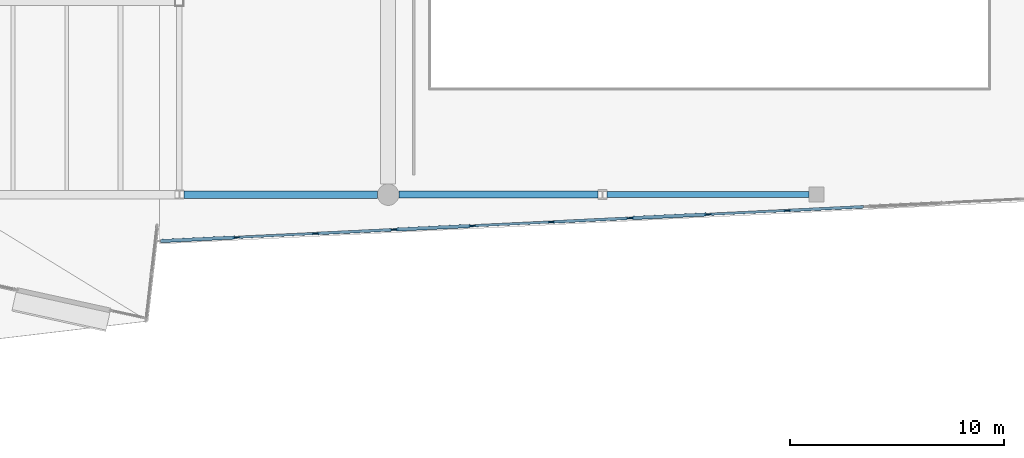
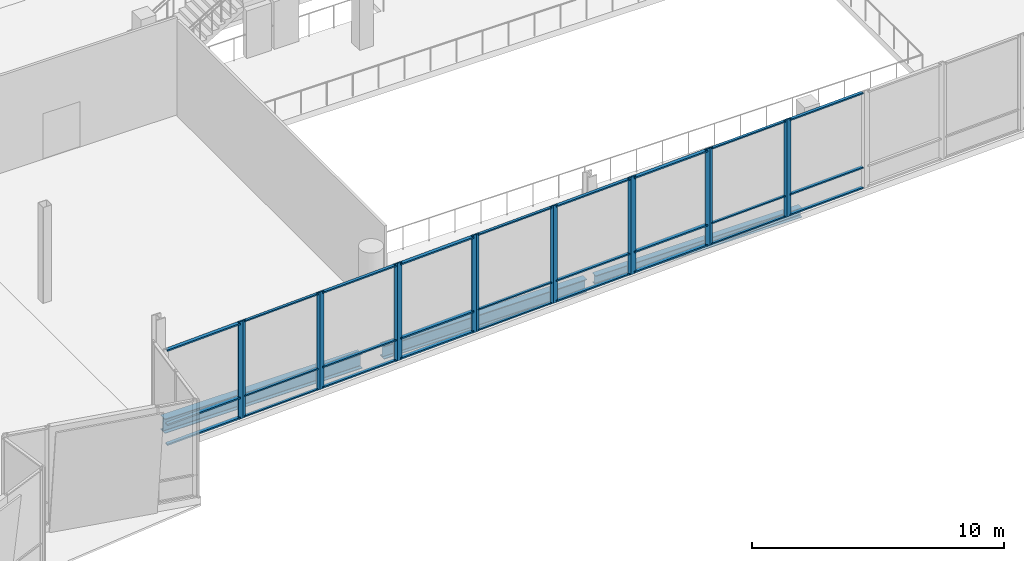
# One storey, part 22 of 73: 43 members, 3 beams, 9 elements without a shape of their own.
"""IFC4 building model written with IfcOpenShell, lengths in metres."""

from ifc_helpers import new_model, si_unit, direction, frame, origin, origin_2d, place, context, subcontext, project, spatial, rectangle, i_section, extrude, material, material_profile, profile_set, type_object, element, aggregate, save


model = new_model("IFC4")

# Units and contexts
model_context = context("Model", 3, precision=1e-05, world=origin(), true_north=direction((0.0, 1.0)))
body_context = subcontext(model_context, "Body", "Model", "MODEL_VIEW")
ifc_project = project(units=[si_unit("LENGTHUNIT", "METRE"), si_unit("AREAUNIT", "SQUARE_METRE"), si_unit("VOLUMEUNIT", "CUBIC_METRE"), si_unit("PLANEANGLEUNIT", "RADIAN"), si_unit("MASSUNIT", "GRAM", prefix="KILO")], contexts=[model_context])

# Site, building, storey
site_placement = place(None, origin())
site = spatial("IfcSite", under=ifc_project, at=site_placement, CompositionType="ELEMENT")
building_placement = place(site_placement, origin())
building = spatial("IfcBuilding", under=site, at=building_placement, Name="Trimount Lyric Opera House", CompositionType="ELEMENT")
storey_placement = place(building_placement, frame((0.0, 0.0, 10.0)))
storey = spatial("IfcBuildingStorey", under=building, at=storey_placement, Name="L02", CompositionType="ELEMENT", Elevation=10.0)

# Beams
ifc_material_1 = material(Name="Steel ASTM A992 Grade 50", Category="steel")
ifc_material_profile_1 = material_profile(ifc_material_1, i_section(OverallWidth=0.35595703125, OverallDepth=0.700927734375, WebThickness=0.016845703125, FlangeThickness=0.02734375, FilletRadius=0.01806640625, at=origin_2d()), Name="W27X161")
ifc_profile_set_1 = profile_set([ifc_material_profile_1], Name="Steel ASTM A992 Grade 50")
beam_type_1 = type_object("IfcBeamType", Name="B-08", PredefinedType="BEAM", material=ifc_profile_set_1)
beam_1_placement = place(storey_placement, frame((64.462890625, 26.0, -0.650390625), z_axis=(1.0, 0.0, 0.0), x_axis=(0.0, 1.0, 0.0)))
element("IfcBeam", 1, at=beam_1_placement, inside=storey, type_object=beam_type_1, Name="L02 girder X-0716", PredefinedType="BEAM", context=body_context, shape_type="SweptSolid", body=[
    extrude(i_section(OverallWidth=0.35595703125, OverallDepth=0.700927734375, WebThickness=0.016845703125, FlangeThickness=0.02734375, FilletRadius=0.01806640625, at=origin_2d()), origin(), (0.0, 0.0, 1.0), 9.037109375),
])
ifc_material_2 = material(Name="Steel ASTM A992 Grade 50", Category="steel")
ifc_material_profile_2 = material_profile(ifc_material_2, i_section(OverallWidth=0.327880859375, OverallDepth=0.626953125, WebThickness=0.0166015625, FlangeThickness=0.027587890625, FilletRadius=0.01611328125, at=origin_2d()), Name="W24X146")
ifc_profile_set_2 = profile_set([ifc_material_profile_2], Name="Steel ASTM A992 Grade 50")
beam_type_2 = type_object("IfcBeamType", Name="B-10", PredefinedType="BEAM", material=ifc_profile_set_2)
beam_2_placement = place(storey_placement, frame((74.5, 26.0, -0.613525390625), z_axis=(1.0, 0.0, 0.0), x_axis=(0.0, 1.0, 0.0)))
element("IfcBeam", 2, at=beam_2_placement, inside=storey, type_object=beam_type_2, Name="L02 girder X-0717", PredefinedType="BEAM", context=body_context, shape_type="SweptSolid", body=[
    extrude(i_section(OverallWidth=0.327880859375, OverallDepth=0.626953125, WebThickness=0.0166015625, FlangeThickness=0.027587890625, FilletRadius=0.01611328125, at=origin_2d()), origin(), (0.0, 0.0, 1.0), 9.2890625),
])

# Curtain wall, members
ifc_material_3 = material(Name="Thermally Broken Aluminium and Low-E Glass", Category="aluminium")
curtain_wall_type = type_object("IfcCurtainWallType", Name="CW-01", PredefinedType="NOTDEFINED", material=ifc_material_3)
curtain_wall_1_placement = place(storey_placement, origin())
curtain_wall_1 = element("IfcCurtainWall", 3, at=curtain_wall_1_placement, inside=storey, type_object=curtain_wall_type, Name="L02 curtain wall 180", PredefinedType="NOTDEFINED")
ifc_material_4 = material(Name="Anodised Aluminium 6063-T6", Category="aluminium")
ifc_material_profile_3 = material_profile(ifc_material_4, rectangle(XDim=0.070068359375, YDim=0.219970703125, at=origin_2d()), Name="ALU-MULL-70X220")
ifc_profile_set_3 = profile_set([ifc_material_profile_3], Name="Anodised Aluminium 6063-T6")
member_type_1 = type_object("IfcMemberType", Name="ML-01", PredefinedType="MULLION", material=ifc_profile_set_3)
member_1_placement = place(storey_placement, frame((88.867919921875, 25.080322265625, 0.0), z_axis=(0.0, 0.0, 1.0), x_axis=(0.048573117817, -0.998819629475, 0.0)))
member_1 = element("IfcMember", 4, at=member_1_placement, type_object=member_type_1, Name="CW-01 mullion 1", PredefinedType="MULLION", context=body_context, shape_type="SweptSolid", body=[
    extrude(rectangle(XDim=0.070068359375, YDim=0.219970703125, at=origin_2d()), origin(), (0.0, 0.0, 1.0), 4.719970703125),
])
member_2_placement = place(storey_placement, frame((85.35986328125, 24.90966796875, 0.0), z_axis=(0.0, 0.0, 1.0), x_axis=(0.048573117817, -0.998819629475, 0.0)))
member_2 = element("IfcMember", 5, at=member_2_placement, type_object=member_type_1, Name="CW-01 mullion 2", PredefinedType="MULLION", context=body_context, shape_type="SweptSolid", body=[
    extrude(rectangle(XDim=0.070068359375, YDim=0.219970703125, at=origin_2d()), origin(), (0.0, 0.0, 1.0), 4.719970703125),
])

curtain_wall_2_placement = place(storey_placement, origin())
curtain_wall_2 = element("IfcCurtainWall", 6, at=curtain_wall_2_placement, inside=storey, type_object=curtain_wall_type, Name="L02 curtain wall 183", PredefinedType="NOTDEFINED")
member_3_placement = place(storey_placement, frame((77.862060546875, 24.543212890625, 0.0), z_axis=(0.0, 0.0, 1.0), x_axis=(0.048573117817, -0.998819629475, 0.0)))
member_3 = element("IfcMember", 7, at=member_3_placement, type_object=member_type_1, Name="CW-01 mullion 1", PredefinedType="MULLION", context=body_context, shape_type="SweptSolid", body=[
    extrude(rectangle(XDim=0.070068359375, YDim=0.219970703125, at=origin_2d()), origin(), (0.0, 0.0, 1.0), 4.719970703125),
])
member_4_placement = place(storey_placement, frame((74.35400390625, 24.372802734375, 0.0), z_axis=(0.0, 0.0, 1.0), x_axis=(0.048573117817, -0.998819629475, 0.0)))
member_4 = element("IfcMember", 8, at=member_4_placement, type_object=member_type_1, Name="CW-01 mullion 2", PredefinedType="MULLION", context=body_context, shape_type="SweptSolid", body=[
    extrude(rectangle(XDim=0.070068359375, YDim=0.219970703125, at=origin_2d()), origin(), (0.0, 0.0, 1.0), 4.719970703125),
])

# Curtain wall, member
curtain_wall_3_placement = place(storey_placement, origin())
curtain_wall_3 = element("IfcCurtainWall", 9, at=curtain_wall_3_placement, inside=storey, type_object=curtain_wall_type, Name="L02 curtain wall 186", PredefinedType="NOTDEFINED")
member_5_placement = place(storey_placement, frame((66.85693359375, 24.00634765625, 0.0), z_axis=(0.0, 0.0, 1.0), x_axis=(0.04855957812, -0.998820287826, 0.0)))
member_5 = element("IfcMember", 10, at=member_5_placement, type_object=member_type_1, Name="CW-01 mullion 1", PredefinedType="MULLION", context=body_context, shape_type="SweptSolid", body=[
    extrude(rectangle(XDim=0.070068359375, YDim=0.219970703125, at=origin_2d()), origin(), (0.0, 0.0, 1.0), 4.719970703125),
])

curtain_wall_4_placement = place(storey_placement, origin())
curtain_wall_4 = element("IfcCurtainWall", 11, at=curtain_wall_4_placement, inside=storey, type_object=curtain_wall_type, Name="L02 curtain wall 178", PredefinedType="NOTDEFINED")
ifc_material_5 = material(Name="Anodised Aluminium 6063-T6", Category="aluminium")
ifc_material_profile_4 = material_profile(ifc_material_5, rectangle(XDim=0.06494140625, YDim=0.179931640625, at=origin_2d()), Name="ALU-MULL-65X180")
ifc_profile_set_4 = profile_set([ifc_material_profile_4], Name="Anodised Aluminium 6063-T6")
member_type_2 = type_object("IfcMemberType", Name="ML-02", PredefinedType="MULLION", material=ifc_profile_set_4)
member_6_placement = place(storey_placement, frame((92.694580078125, 25.267578125, 0.0), z_axis=(0.0, 0.0, 1.0), x_axis=(0.048573117817, -0.998819629475, 0.0)))
member_6 = element("IfcMember", 12, at=member_6_placement, type_object=member_type_2, Name="CW-01 mullion 2", PredefinedType="MULLION", context=body_context, shape_type="SweptSolid", body=[
    extrude(rectangle(XDim=0.06494140625, YDim=0.179931640625, at=origin_2d()), origin(), (0.0, 0.0, 1.0), 4.719970703125),
])

# Curtain wall, members
curtain_wall_5_placement = place(storey_placement, origin())
curtain_wall_5 = element("IfcCurtainWall", 13, at=curtain_wall_5_placement, inside=storey, type_object=curtain_wall_type, Name="L02 curtain wall 181", PredefinedType="NOTDEFINED")
member_7_placement = place(storey_placement, frame((85.20263671875, 24.9013671875, 0.0), z_axis=(0.0, 0.0, 1.0), x_axis=(0.04855957812, -0.998820287826, 0.0)))
member_7 = element("IfcMember", 14, at=member_7_placement, type_object=member_type_2, Name="CW-01 mullion 1", PredefinedType="MULLION", context=body_context, shape_type="SweptSolid", body=[
    extrude(rectangle(XDim=0.06494140625, YDim=0.179931640625, at=origin_2d()), origin(), (0.0, 0.0, 1.0), 4.719970703125),
])
member_8_placement = place(storey_placement, frame((81.6884765625, 24.73046875, 0.0), z_axis=(0.0, 0.0, 1.0), x_axis=(0.04855957812, -0.998820287826, 0.0)))
member_8 = element("IfcMember", 15, at=member_8_placement, type_object=member_type_2, Name="CW-01 mullion 2", PredefinedType="MULLION", context=body_context, shape_type="SweptSolid", body=[
    extrude(rectangle(XDim=0.06494140625, YDim=0.179931640625, at=origin_2d()), origin(), (0.0, 0.0, 1.0), 4.719970703125),
])

curtain_wall_6_placement = place(storey_placement, origin())
curtain_wall_6 = element("IfcCurtainWall", 16, at=curtain_wall_6_placement, inside=storey, type_object=curtain_wall_type, Name="L02 curtain wall 184", PredefinedType="NOTDEFINED")
member_9_placement = place(storey_placement, frame((74.196533203125, 24.364501953125, 0.0), z_axis=(0.0, 0.0, 1.0), x_axis=(0.04855957812, -0.998820287826, 0.0)))
member_9 = element("IfcMember", 17, at=member_9_placement, type_object=member_type_2, Name="CW-01 mullion 1", PredefinedType="MULLION", context=body_context, shape_type="SweptSolid", body=[
    extrude(rectangle(XDim=0.06494140625, YDim=0.179931640625, at=origin_2d()), origin(), (0.0, 0.0, 1.0), 4.719970703125),
])
member_10_placement = place(storey_placement, frame((70.682373046875, 24.193603515625, 0.0), z_axis=(0.0, 0.0, 1.0), x_axis=(0.04855957812, -0.998820287826, 0.0)))
member_10 = element("IfcMember", 18, at=member_10_placement, type_object=member_type_2, Name="CW-01 mullion 2", PredefinedType="MULLION", context=body_context, shape_type="SweptSolid", body=[
    extrude(rectangle(XDim=0.06494140625, YDim=0.179931640625, at=origin_2d()), origin(), (0.0, 0.0, 1.0), 4.719970703125),
])

curtain_wall_7_placement = place(storey_placement, origin())
curtain_wall_7 = element("IfcCurtainWall", 19, at=curtain_wall_7_placement, inside=storey, type_object=curtain_wall_type, Name="L02 curtain wall 179", PredefinedType="NOTDEFINED")
ifc_material_6 = material(Name="Anodised Aluminium 6063-T6", Category="aluminium")
ifc_material_profile_5 = material_profile(ifc_material_6, rectangle(XDim=0.06005859375, YDim=0.14990234375, at=origin_2d()), Name="ALU-MULL-60X150")
ifc_profile_set_5 = profile_set([ifc_material_profile_5], Name="Anodised Aluminium 6063-T6")
member_type_3 = type_object("IfcMemberType", Name="ML-03", PredefinedType="MULLION", material=ifc_profile_set_5)
member_11_placement = place(storey_placement, frame((92.5419921875, 25.259521484375, 0.0), z_axis=(0.0, 0.0, 1.0), x_axis=(0.04855957812, -0.998820287826, 0.0)))
member_11 = element("IfcMember", 20, at=member_11_placement, type_object=member_type_3, Name="CW-01 mullion 1", PredefinedType="MULLION", context=body_context, shape_type="SweptSolid", body=[
    extrude(rectangle(XDim=0.06005859375, YDim=0.14990234375, at=origin_2d()), origin(), (0.0, 0.0, 1.0), 4.719970703125),
])
member_12_placement = place(storey_placement, frame((89.02294921875, 25.08837890625, 0.0), z_axis=(0.0, 0.0, 1.0), x_axis=(0.04855957812, -0.998820287826, 0.0)))
member_12 = element("IfcMember", 21, at=member_12_placement, type_object=member_type_3, Name="CW-01 mullion 2", PredefinedType="MULLION", context=body_context, shape_type="SweptSolid", body=[
    extrude(rectangle(XDim=0.06005859375, YDim=0.14990234375, at=origin_2d()), origin(), (0.0, 0.0, 1.0), 4.719970703125),
])

curtain_wall_8_placement = place(storey_placement, origin())
curtain_wall_8 = element("IfcCurtainWall", 22, at=curtain_wall_8_placement, inside=storey, type_object=curtain_wall_type, Name="L02 curtain wall 182", PredefinedType="NOTDEFINED")
member_13_placement = place(storey_placement, frame((81.5361328125, 24.72265625, 0.0), z_axis=(0.0, 0.0, 1.0), x_axis=(0.04855957812, -0.998820287826, 0.0)))
member_13 = element("IfcMember", 23, at=member_13_placement, type_object=member_type_3, Name="CW-01 mullion 1", PredefinedType="MULLION", context=body_context, shape_type="SweptSolid", body=[
    extrude(rectangle(XDim=0.06005859375, YDim=0.14990234375, at=origin_2d()), origin(), (0.0, 0.0, 1.0), 4.719970703125),
])
member_14_placement = place(storey_placement, frame((78.016845703125, 24.551513671875, 0.0), z_axis=(0.0, 0.0, 1.0), x_axis=(0.04855957812, -0.998820287826, 0.0)))
member_14 = element("IfcMember", 24, at=member_14_placement, type_object=member_type_3, Name="CW-01 mullion 2", PredefinedType="MULLION", context=body_context, shape_type="SweptSolid", body=[
    extrude(rectangle(XDim=0.06005859375, YDim=0.14990234375, at=origin_2d()), origin(), (0.0, 0.0, 1.0), 4.719970703125),
])

curtain_wall_9_placement = place(storey_placement, origin())
curtain_wall_9 = element("IfcCurtainWall", 25, at=curtain_wall_9_placement, inside=storey, type_object=curtain_wall_type, Name="L02 curtain wall 185", PredefinedType="NOTDEFINED")
member_15_placement = place(storey_placement, frame((70.530029296875, 24.185546875, 0.0), z_axis=(0.0, 0.0, 1.0), x_axis=(0.048573117817, -0.998819629475, 0.0)))
member_15 = element("IfcMember", 26, at=member_15_placement, type_object=member_type_3, Name="CW-01 mullion 1", PredefinedType="MULLION", context=body_context, shape_type="SweptSolid", body=[
    extrude(rectangle(XDim=0.06005859375, YDim=0.14990234375, at=origin_2d()), origin(), (0.0, 0.0, 1.0), 4.719970703125),
])
member_16_placement = place(storey_placement, frame((67.011962890625, 24.014404296875, 0.0), z_axis=(0.0, 0.0, 1.0), x_axis=(0.048573117817, -0.998819629475, 0.0)))
member_16 = element("IfcMember", 27, at=member_16_placement, type_object=member_type_3, Name="CW-01 mullion 2", PredefinedType="MULLION", context=body_context, shape_type="SweptSolid", body=[
    extrude(rectangle(XDim=0.06005859375, YDim=0.14990234375, at=origin_2d()), origin(), (0.0, 0.0, 1.0), 4.719970703125),
])

# Beam
ifc_material_7 = material(Name="Steel ASTM A992 Grade 50", Category="steel")
ifc_material_profile_6 = material_profile(ifc_material_7, i_section(OverallWidth=0.281982421875, OverallDepth=0.467041015625, WebThickness=0.01220703125, FlangeThickness=0.01953125, FilletRadius=0.012939453125, at=origin_2d()), Name="W18X86")
ifc_profile_set_6 = profile_set([ifc_material_profile_6], Name="Steel ASTM A992 Grade 50")
beam_type_3 = type_object("IfcBeamType", Name="SP-01", PredefinedType="SPANDREL", material=ifc_profile_set_6)
beam_3_placement = place(storey_placement, frame((84.2109375, 26.0, -0.533447265625), z_axis=(1.0, 0.0, 0.0), x_axis=(0.0, 1.0, 0.0)))
element("IfcBeam", 28, at=beam_3_placement, inside=storey, type_object=beam_type_3, Name="L02 girder X-0718", PredefinedType="SPANDREL", context=body_context, shape_type="SweptSolid", body=[
    extrude(i_section(OverallWidth=0.281982421875, OverallDepth=0.467041015625, WebThickness=0.01220703125, FlangeThickness=0.01953125, FilletRadius=0.012939453125, at=origin_2d()), origin(), (0.0, 0.0, 1.0), 9.43896484375),
])

# Member
ifc_material_8 = material(Name="Anodised Aluminium 6063-T6", Category="aluminium")
ifc_material_profile_7 = material_profile(ifc_material_8, rectangle(XDim=0.159912109375, YDim=0.070068359375, at=origin_2d()), Name="ALU-TRAN-70X160")
ifc_profile_set_7 = profile_set([ifc_material_profile_7], Name="Anodised Aluminium 6063-T6")
member_type_4 = type_object("IfcMemberType", Name="TR-01", PredefinedType="USERDEFINED", material=ifc_profile_set_7)
member_17_placement = place(storey_placement, frame((88.8330078125, 25.07861328125, 0.080078125), z_axis=(-0.998818992707, -0.048586210056, 0.0), x_axis=(0.048586210056, -0.998818992707, 0.0)))
member_17 = element("IfcMember", 29, at=member_17_placement, type_object=member_type_4, Name="CW-01 transom 1.1", ObjectType="TRANSOM", PredefinedType="USERDEFINED", context=body_context, shape_type="SweptSolid", body=[
    extrude(rectangle(XDim=0.159912109375, YDim=0.070068359375, at=origin_2d()), origin(), (0.0, 0.0, 1.0), 3.442138671875),
])

member_18_placement = place(storey_placement, frame((88.8330078125, 25.07861328125, 1.050048828125), z_axis=(-0.998818992707, -0.048586210056, 0.0), x_axis=(0.048586210056, -0.998818992707, 0.0)))
member_18 = element("IfcMember", 30, at=member_18_placement, type_object=member_type_4, Name="CW-01 transom 1.2", ObjectType="TRANSOM", PredefinedType="USERDEFINED", context=body_context, shape_type="SweptSolid", body=[
    extrude(rectangle(XDim=0.159912109375, YDim=0.070068359375, at=origin_2d()), origin(), (0.0, 0.0, 1.0), 3.442138671875),
])

member_19_placement = place(storey_placement, frame((88.8330078125, 25.07861328125, 4.639892578125), z_axis=(-0.998818992707, -0.048586210056, 0.0), x_axis=(0.048586210056, -0.998818992707, 0.0)))
member_19 = element("IfcMember", 31, at=member_19_placement, type_object=member_type_4, Name="CW-01 transom 1.3", ObjectType="TRANSOM", PredefinedType="USERDEFINED", context=body_context, shape_type="SweptSolid", body=[
    extrude(rectangle(XDim=0.159912109375, YDim=0.070068359375, at=origin_2d()), origin(), (0.0, 0.0, 1.0), 3.442138671875),
])

aggregate(curtain_wall_1, [member_1, member_2, member_17, member_18, member_19])

member_20_placement = place(storey_placement, frame((77.8271484375, 24.54150390625, 0.080078125), z_axis=(-0.998822599234, -0.048512011494, 0.0), x_axis=(0.048512011494, -0.998822599234, 0.0)))
member_20 = element("IfcMember", 32, at=member_20_placement, type_object=member_type_4, Name="CW-01 transom 1.1", ObjectType="TRANSOM", PredefinedType="USERDEFINED", context=body_context, shape_type="SweptSolid", body=[
    extrude(rectangle(XDim=0.159912109375, YDim=0.070068359375, at=origin_2d()), origin(), (0.0, 0.0, 1.0), 3.4423828125),
])

member_21_placement = place(storey_placement, frame((77.8271484375, 24.54150390625, 1.050048828125), z_axis=(-0.998822599234, -0.048512011494, 0.0), x_axis=(0.048512011494, -0.998822599234, 0.0)))
member_21 = element("IfcMember", 33, at=member_21_placement, type_object=member_type_4, Name="CW-01 transom 1.2", ObjectType="TRANSOM", PredefinedType="USERDEFINED", context=body_context, shape_type="SweptSolid", body=[
    extrude(rectangle(XDim=0.159912109375, YDim=0.070068359375, at=origin_2d()), origin(), (0.0, 0.0, 1.0), 3.4423828125),
])

member_22_placement = place(storey_placement, frame((77.8271484375, 24.54150390625, 4.639892578125), z_axis=(-0.998822599234, -0.048512011494, 0.0), x_axis=(0.048512011494, -0.998822599234, 0.0)))
member_22 = element("IfcMember", 34, at=member_22_placement, type_object=member_type_4, Name="CW-01 transom 1.3", ObjectType="TRANSOM", PredefinedType="USERDEFINED", context=body_context, shape_type="SweptSolid", body=[
    extrude(rectangle(XDim=0.159912109375, YDim=0.070068359375, at=origin_2d()), origin(), (0.0, 0.0, 1.0), 3.4423828125),
])

aggregate(curtain_wall_2, [member_3, member_4, member_20, member_21, member_22])

member_23_placement = place(storey_placement, frame((66.822021484375, 24.004638671875, 0.080078125), z_axis=(-0.998819829442, -0.048569005691, 0.0), x_axis=(0.048569005691, -0.998819829442, 0.0)))
member_23 = element("IfcMember", 35, at=member_23_placement, type_object=member_type_4, Name="CW-01 transom 1.1", ObjectType="TRANSOM", PredefinedType="USERDEFINED", context=body_context, shape_type="SweptSolid", body=[
    extrude(rectangle(XDim=0.159912109375, YDim=0.070068359375, at=origin_2d()), origin(), (0.0, 0.0, 1.0), 3.443359375),
])

member_24_placement = place(storey_placement, frame((66.822021484375, 24.004638671875, 1.050048828125), z_axis=(-0.998819829442, -0.048569005691, 0.0), x_axis=(0.048569005691, -0.998819829442, 0.0)))
member_24 = element("IfcMember", 36, at=member_24_placement, type_object=member_type_4, Name="CW-01 transom 1.2", ObjectType="TRANSOM", PredefinedType="USERDEFINED", context=body_context, shape_type="SweptSolid", body=[
    extrude(rectangle(XDim=0.159912109375, YDim=0.070068359375, at=origin_2d()), origin(), (0.0, 0.0, 1.0), 3.443359375),
])

member_25_placement = place(storey_placement, frame((66.822021484375, 24.004638671875, 4.639892578125), z_axis=(-0.998819829442, -0.048569005691, 0.0), x_axis=(0.048569005691, -0.998819829442, 0.0)))
member_25 = element("IfcMember", 37, at=member_25_placement, type_object=member_type_4, Name="CW-01 transom 1.3", ObjectType="TRANSOM", PredefinedType="USERDEFINED", context=body_context, shape_type="SweptSolid", body=[
    extrude(rectangle(XDim=0.159912109375, YDim=0.070068359375, at=origin_2d()), origin(), (0.0, 0.0, 1.0), 3.443359375),
])

aggregate(curtain_wall_3, [member_5, member_23, member_24, member_25])

ifc_material_9 = material(Name="Anodised Aluminium 6063-T6", Category="aluminium")
ifc_material_profile_8 = material_profile(ifc_material_9, rectangle(XDim=0.135009765625, YDim=0.06494140625, at=origin_2d()), Name="ALU-TRAN-65X135")
ifc_profile_set_8 = profile_set([ifc_material_profile_8], Name="Anodised Aluminium 6063-T6")
member_type_5 = type_object("IfcMemberType", Name="TR-02", PredefinedType="USERDEFINED", material=ifc_profile_set_8)
member_26_placement = place(storey_placement, frame((96.175048828125, 25.436767578125, 0.0673828125), z_axis=(-0.998819140388, -0.048583173991, 0.0), x_axis=(0.048583173991, -0.998819140388, 0.0)))
member_26 = element("IfcMember", 38, at=member_26_placement, type_object=member_type_5, Name="CW-01 transom 1.1", ObjectType="TRANSOM", PredefinedType="USERDEFINED", context=body_context, shape_type="SweptSolid", body=[
    extrude(rectangle(XDim=0.135009765625, YDim=0.06494140625, at=origin_2d()), origin(), (0.0, 0.0, 1.0), 3.452392578125),
])

member_27_placement = place(storey_placement, frame((96.175048828125, 25.436767578125, 1.050048828125), z_axis=(-0.998819140388, -0.048583173991, 0.0), x_axis=(0.048583173991, -0.998819140388, 0.0)))
member_27 = element("IfcMember", 39, at=member_27_placement, type_object=member_type_5, Name="CW-01 transom 1.2", ObjectType="TRANSOM", PredefinedType="USERDEFINED", context=body_context, shape_type="SweptSolid", body=[
    extrude(rectangle(XDim=0.135009765625, YDim=0.06494140625, at=origin_2d()), origin(), (0.0, 0.0, 1.0), 3.452392578125),
])

member_28_placement = place(storey_placement, frame((96.175048828125, 25.436767578125, 4.652587890625), z_axis=(-0.998819140388, -0.048583173991, 0.0), x_axis=(0.048583173991, -0.998819140388, 0.0)))
member_28 = element("IfcMember", 40, at=member_28_placement, type_object=member_type_5, Name="CW-01 transom 1.3", ObjectType="TRANSOM", PredefinedType="USERDEFINED", context=body_context, shape_type="SweptSolid", body=[
    extrude(rectangle(XDim=0.135009765625, YDim=0.06494140625, at=origin_2d()), origin(), (0.0, 0.0, 1.0), 3.452392578125),
])

aggregate(curtain_wall_4, [member_6, member_26, member_27, member_28])

member_29_placement = place(storey_placement, frame((85.170166015625, 24.89990234375, 0.0673828125), z_axis=(-0.998819807773, -0.048569451298, 0.0), x_axis=(0.048569451298, -0.998819807773, 0.0)))
member_29 = element("IfcMember", 41, at=member_29_placement, type_object=member_type_5, Name="CW-01 transom 1.1", ObjectType="TRANSOM", PredefinedType="USERDEFINED", context=body_context, shape_type="SweptSolid", body=[
    extrude(rectangle(XDim=0.135009765625, YDim=0.06494140625, at=origin_2d()), origin(), (0.0, 0.0, 1.0), 3.453369140625),
])

member_30_placement = place(storey_placement, frame((85.170166015625, 24.89990234375, 1.050048828125), z_axis=(-0.998819807773, -0.048569451298, 0.0), x_axis=(0.048569451298, -0.998819807773, 0.0)))
member_30 = element("IfcMember", 42, at=member_30_placement, type_object=member_type_5, Name="CW-01 transom 1.2", ObjectType="TRANSOM", PredefinedType="USERDEFINED", context=body_context, shape_type="SweptSolid", body=[
    extrude(rectangle(XDim=0.135009765625, YDim=0.06494140625, at=origin_2d()), origin(), (0.0, 0.0, 1.0), 3.453369140625),
])

member_31_placement = place(storey_placement, frame((85.170166015625, 24.89990234375, 4.652587890625), z_axis=(-0.998819807773, -0.048569451298, 0.0), x_axis=(0.048569451298, -0.998819807773, 0.0)))
member_31 = element("IfcMember", 43, at=member_31_placement, type_object=member_type_5, Name="CW-01 transom 1.3", ObjectType="TRANSOM", PredefinedType="USERDEFINED", context=body_context, shape_type="SweptSolid", body=[
    extrude(rectangle(XDim=0.135009765625, YDim=0.06494140625, at=origin_2d()), origin(), (0.0, 0.0, 1.0), 3.453369140625),
])

aggregate(curtain_wall_5, [member_7, member_8, member_29, member_30, member_31])

member_32_placement = place(storey_placement, frame((74.1640625, 24.36279296875, 0.0673828125), z_axis=(-0.998819807773, -0.048569451298, 0.0), x_axis=(0.048569451298, -0.998819807773, 0.0)))
member_32 = element("IfcMember", 44, at=member_32_placement, type_object=member_type_5, Name="CW-01 transom 1.1", ObjectType="TRANSOM", PredefinedType="USERDEFINED", context=body_context, shape_type="SweptSolid", body=[
    extrude(rectangle(XDim=0.135009765625, YDim=0.06494140625, at=origin_2d()), origin(), (0.0, 0.0, 1.0), 3.453369140625),
])

member_33_placement = place(storey_placement, frame((74.1640625, 24.36279296875, 1.050048828125), z_axis=(-0.998819807773, -0.048569451298, 0.0), x_axis=(0.048569451298, -0.998819807773, 0.0)))
member_33 = element("IfcMember", 45, at=member_33_placement, type_object=member_type_5, Name="CW-01 transom 1.2", ObjectType="TRANSOM", PredefinedType="USERDEFINED", context=body_context, shape_type="SweptSolid", body=[
    extrude(rectangle(XDim=0.135009765625, YDim=0.06494140625, at=origin_2d()), origin(), (0.0, 0.0, 1.0), 3.453369140625),
])

member_34_placement = place(storey_placement, frame((74.1640625, 24.36279296875, 4.652587890625), z_axis=(-0.998819807773, -0.048569451298, 0.0), x_axis=(0.048569451298, -0.998819807773, 0.0)))
member_34 = element("IfcMember", 46, at=member_34_placement, type_object=member_type_5, Name="CW-01 transom 1.3", ObjectType="TRANSOM", PredefinedType="USERDEFINED", context=body_context, shape_type="SweptSolid", body=[
    extrude(rectangle(XDim=0.135009765625, YDim=0.06494140625, at=origin_2d()), origin(), (0.0, 0.0, 1.0), 3.453369140625),
])

aggregate(curtain_wall_6, [member_9, member_10, member_32, member_33, member_34])

ifc_material_10 = material(Name="Anodised Aluminium 6063-T6", Category="aluminium")
ifc_material_profile_9 = material_profile(ifc_material_10, rectangle(XDim=0.114990234375, YDim=0.06005859375, at=origin_2d()), Name="ALU-TRAN-60X115")
ifc_profile_set_9 = profile_set([ifc_material_profile_9], Name="Anodised Aluminium 6063-T6")
member_type_6 = type_object("IfcMemberType", Name="TR-03", PredefinedType="USERDEFINED", material=ifc_profile_set_9)
member_35_placement = place(storey_placement, frame((92.511962890625, 25.258056640625, 0.0576171875), z_axis=(-0.998819619917, -0.048573314379, 0.0), x_axis=(0.048573314379, -0.998819619917, 0.0)))
member_35 = element("IfcMember", 47, at=member_35_placement, type_object=member_type_6, Name="CW-01 transom 1.1", ObjectType="TRANSOM", PredefinedType="USERDEFINED", context=body_context, shape_type="SweptSolid", body=[
    extrude(rectangle(XDim=0.114990234375, YDim=0.06005859375, at=origin_2d()), origin(), (0.0, 0.0, 1.0), 3.463134765625),
])

member_36_placement = place(storey_placement, frame((92.511962890625, 25.258056640625, 1.050048828125), z_axis=(-0.998819619917, -0.048573314379, 0.0), x_axis=(0.048573314379, -0.998819619917, 0.0)))
member_36 = element("IfcMember", 48, at=member_36_placement, type_object=member_type_6, Name="CW-01 transom 1.2", ObjectType="TRANSOM", PredefinedType="USERDEFINED", context=body_context, shape_type="SweptSolid", body=[
    extrude(rectangle(XDim=0.114990234375, YDim=0.06005859375, at=origin_2d()), origin(), (0.0, 0.0, 1.0), 3.463134765625),
])

member_37_placement = place(storey_placement, frame((92.511962890625, 25.258056640625, 4.66259765625), z_axis=(-0.998819619917, -0.048573314379, 0.0), x_axis=(0.048573314379, -0.998819619917, 0.0)))
member_37 = element("IfcMember", 49, at=member_37_placement, type_object=member_type_6, Name="CW-01 transom 1.3", ObjectType="TRANSOM", PredefinedType="USERDEFINED", context=body_context, shape_type="SweptSolid", body=[
    extrude(rectangle(XDim=0.114990234375, YDim=0.06005859375, at=origin_2d()), origin(), (0.0, 0.0, 1.0), 3.463134765625),
])

aggregate(curtain_wall_7, [member_11, member_12, member_35, member_36, member_37])

member_38_placement = place(storey_placement, frame((81.506103515625, 24.72119140625, 0.0576171875), z_axis=(-0.99881978623, -0.048569894327, 0.0), x_axis=(0.048569894327, -0.99881978623, 0.0)))
member_38 = element("IfcMember", 50, at=member_38_placement, type_object=member_type_6, Name="CW-01 transom 1.1", ObjectType="TRANSOM", PredefinedType="USERDEFINED", context=body_context, shape_type="SweptSolid", body=[
    extrude(rectangle(XDim=0.114990234375, YDim=0.06005859375, at=origin_2d()), origin(), (0.0, 0.0, 1.0), 3.46337890625),
])

member_39_placement = place(storey_placement, frame((81.506103515625, 24.72119140625, 1.050048828125), z_axis=(-0.99881978623, -0.048569894327, 0.0), x_axis=(0.048569894327, -0.99881978623, 0.0)))
member_39 = element("IfcMember", 51, at=member_39_placement, type_object=member_type_6, Name="CW-01 transom 1.2", ObjectType="TRANSOM", PredefinedType="USERDEFINED", context=body_context, shape_type="SweptSolid", body=[
    extrude(rectangle(XDim=0.114990234375, YDim=0.06005859375, at=origin_2d()), origin(), (0.0, 0.0, 1.0), 3.46337890625),
])

member_40_placement = place(storey_placement, frame((81.506103515625, 24.72119140625, 4.66259765625), z_axis=(-0.99881978623, -0.048569894327, 0.0), x_axis=(0.048569894327, -0.99881978623, 0.0)))
member_40 = element("IfcMember", 52, at=member_40_placement, type_object=member_type_6, Name="CW-01 transom 1.3", ObjectType="TRANSOM", PredefinedType="USERDEFINED", context=body_context, shape_type="SweptSolid", body=[
    extrude(rectangle(XDim=0.114990234375, YDim=0.06005859375, at=origin_2d()), origin(), (0.0, 0.0, 1.0), 3.46337890625),
])

aggregate(curtain_wall_8, [member_13, member_14, member_38, member_39, member_40])

member_41_placement = place(storey_placement, frame((70.5, 24.18408203125, 0.0576171875), z_axis=(-0.99881895431, -0.048586999401, 0.0), x_axis=(0.048586999401, -0.99881895431, 0.0)))
member_41 = element("IfcMember", 53, at=member_41_placement, type_object=member_type_6, Name="CW-01 transom 1.1", ObjectType="TRANSOM", PredefinedType="USERDEFINED", context=body_context, shape_type="SweptSolid", body=[
    extrude(rectangle(XDim=0.114990234375, YDim=0.06005859375, at=origin_2d()), origin(), (0.0, 0.0, 1.0), 3.462158203125),
])

member_42_placement = place(storey_placement, frame((70.5, 24.18408203125, 1.050048828125), z_axis=(-0.99881895431, -0.048586999401, 0.0), x_axis=(0.048586999401, -0.99881895431, 0.0)))
member_42 = element("IfcMember", 54, at=member_42_placement, type_object=member_type_6, Name="CW-01 transom 1.2", ObjectType="TRANSOM", PredefinedType="USERDEFINED", context=body_context, shape_type="SweptSolid", body=[
    extrude(rectangle(XDim=0.114990234375, YDim=0.06005859375, at=origin_2d()), origin(), (0.0, 0.0, 1.0), 3.462158203125),
])

member_43_placement = place(storey_placement, frame((70.5, 24.18408203125, 4.66259765625), z_axis=(-0.99881895431, -0.048586999401, 0.0), x_axis=(0.048586999401, -0.99881895431, 0.0)))
member_43 = element("IfcMember", 55, at=member_43_placement, type_object=member_type_6, Name="CW-01 transom 1.3", ObjectType="TRANSOM", PredefinedType="USERDEFINED", context=body_context, shape_type="SweptSolid", body=[
    extrude(rectangle(XDim=0.114990234375, YDim=0.06005859375, at=origin_2d()), origin(), (0.0, 0.0, 1.0), 3.462158203125),
])

aggregate(curtain_wall_9, [member_15, member_16, member_41, member_42, member_43])

save(model, "model.ifc")
